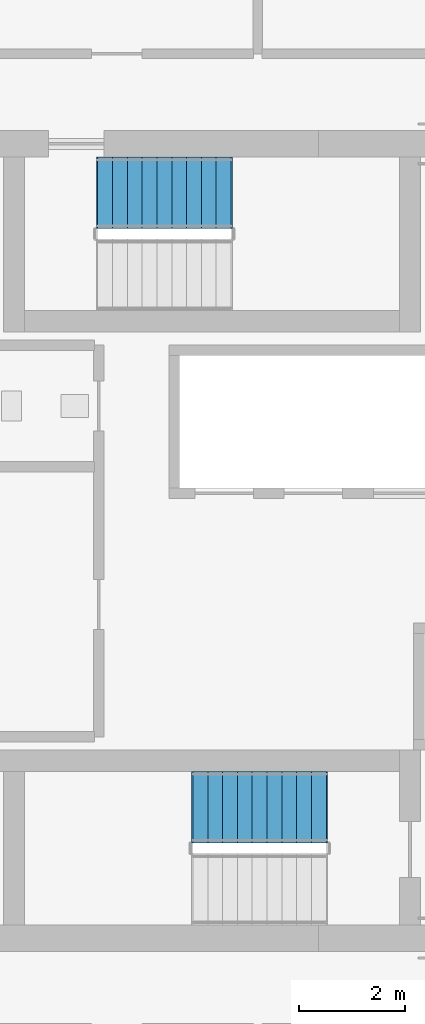
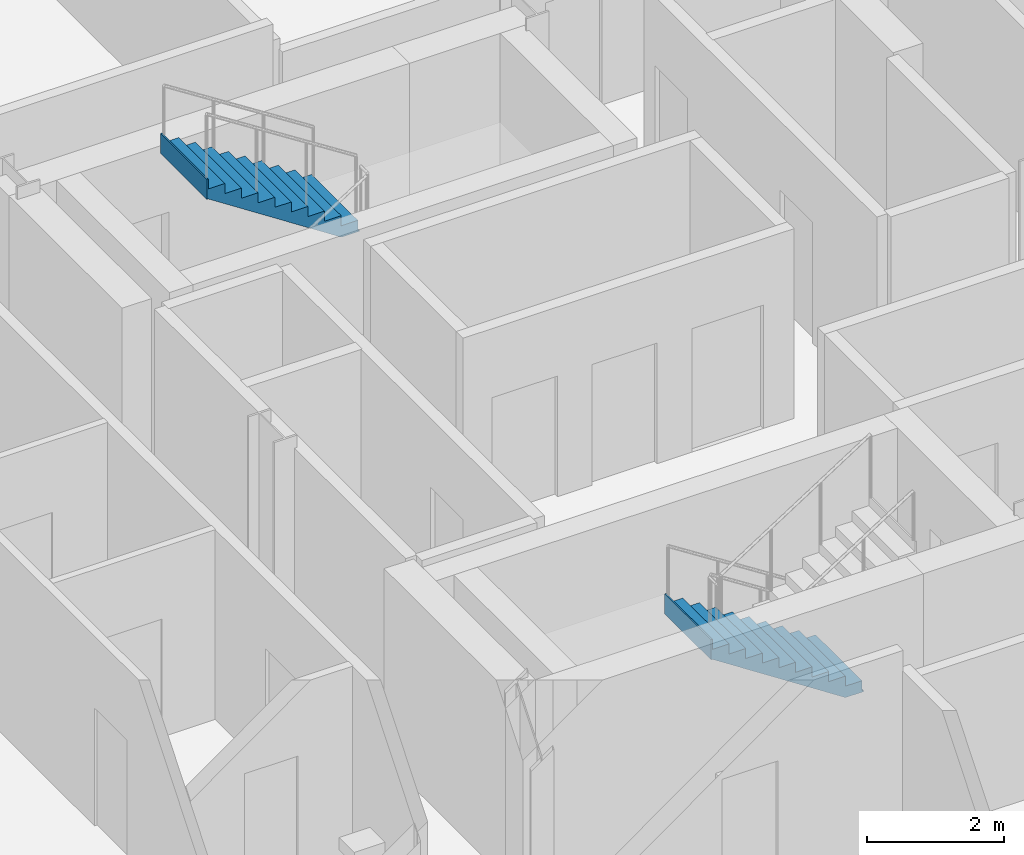
# One storey, part 21 of 23: 2 stair flights, 2 elements without a shape of their own.
"""IFC4 building model written with IfcOpenShell, lengths in metres."""

import ifcopenshell
import ifcopenshell.guid

model = None  # the IFC model being written
_history = None  # IfcOwnerHistory: only IFC2X3 demands one
_inside = {}  # id of a spatial element -> (the spatial element, [elements in it])
_under = {}  # id of a project, library or spatial element -> (it, [spatial elements below it])
_declared = {}  # id of a project -> (the project, [libraries it declares])
_typed = {}  # id of a type object -> (the type object, [elements of that type])
_made_of = {}  # id of a material, layer set ... -> (it, [elements and type objects made of it])


def new_model(schema):
    """Start an empty IFC model of exactly this schema.

    Asked for "IFC4X3", IfcOpenShell would pick the latest addendum, in which some entities
    have other attributes; the version numbers below select the first issue.
    IFC2X3 requires an IfcOwnerHistory on every rooted entity: one is made here for all.
    """
    global model, _history
    if schema == "IFC4X3":
        model = ifcopenshell.file(schema_version=(4, 3, 0, 0))
    else:
        model = ifcopenshell.file(schema=schema)
    _inside.clear()
    _under.clear()
    _declared.clear()
    _typed.clear()
    _made_of.clear()
    _history = None
    if model.schema == "IFC2X3":
        org = make("IfcOrganization", Name="unknown")
        user = make(
            "IfcPersonAndOrganization",
            ThePerson=make("IfcPerson", FamilyName="unknown"),
            TheOrganization=org,
        )
        app = make(
            "IfcApplication",
            ApplicationDeveloper=org,
            Version="unknown",
            ApplicationFullName="unknown",
            ApplicationIdentifier="unknown",
        )
        _history = make(
            "IfcOwnerHistory",
            OwningUser=user,
            OwningApplication=app,
            ChangeAction="ADDED",
            CreationDate=0,
        )
    return model


def make(cls, **values):
    """One entity of the class cls with the attributes given. An attribute that is None is left unset."""
    return model.create_entity(
        cls, **{name: value for name, value in values.items() if value is not None}
    )


def rooted(cls, **values):
    """An entity with a GlobalId (a new one), such as an element, a storey or a relation."""
    return make(cls, GlobalId=ifcopenshell.guid.new(), OwnerHistory=_history, **values)


def si_unit(unit_type, name, prefix=None):
    """IfcSIUnit, for example si_unit("LENGTHUNIT", "METRE", prefix="MILLI")."""
    return make("IfcSIUnit", UnitType=unit_type, Prefix=prefix, Name=name)


def assignment(units):
    """IfcUnitAssignment: the units of a project."""
    return None if units is None else make("IfcUnitAssignment", Units=units)


def point(xyz):
    """IfcCartesianPoint."""
    return None if xyz is None else make("IfcCartesianPoint", Coordinates=xyz)


def direction(xyz):
    """IfcDirection."""
    return None if xyz is None else make("IfcDirection", DirectionRatios=xyz)


def frame(location, z_axis=None, x_axis=None):
    """IfcAxis2Placement3D, a coordinate frame: its origin and axes. An axis left out is left unset."""
    return make(
        "IfcAxis2Placement3D",
        Location=point(location),
        Axis=direction(z_axis),
        RefDirection=direction(x_axis),
    )


def origin():
    """The frame at (0, 0, 0) with its axes left unset."""
    return frame((0.0, 0.0, 0.0))


def place(relative_to, where):
    """IfcLocalPlacement: puts the frame where relative to a parent placement (None: the world)."""
    return make(
        "IfcLocalPlacement", PlacementRelTo=relative_to, RelativePlacement=where
    )


def context(
    kind, dimensions, precision=None, world=None, true_north=None, identifier=None
):
    """IfcGeometricRepresentationContext, for example the 3D "Model" context."""
    return make(
        "IfcGeometricRepresentationContext",
        ContextIdentifier=identifier,
        ContextType=kind,
        CoordinateSpaceDimension=dimensions,
        Precision=precision,
        WorldCoordinateSystem=world,
        TrueNorth=true_north,
    )


def subcontext(parent, identifier, kind, view, scale=None):
    """IfcGeometricRepresentationSubContext, for example "Body" below "Model"."""
    return make(
        "IfcGeometricRepresentationSubContext",
        ContextIdentifier=identifier,
        ContextType=kind,
        ParentContext=parent,
        TargetScale=scale,
        TargetView=view,
    )


def project(units=None, contexts=None):
    """IfcProject with its units and contexts."""
    return rooted(
        "IfcProject",
        Name="project",
        RepresentationContexts=contexts,
        UnitsInContext=assignment(units),
    )


def spatial(cls, under=None, at=None, **own):
    """A site, building, storey or space (cls), placed at a placement, below another one or the project."""
    s = rooted(cls, ObjectPlacement=at, **own)
    if under is not None:
        _under.setdefault(under.id(), (under, []))[1].append(s)
    return s


def polyline(points):
    """IfcPolyline through the points."""
    return make("IfcPolyline", Points=[point(p) for p in points])


def outline(outer, holes=None, kind="AREA"):
    """IfcArbitraryClosedProfileDef: a profile drawn as a closed curve; with holes, ...WithVoids."""
    if holes is None:
        return make("IfcArbitraryClosedProfileDef", ProfileType=kind, OuterCurve=outer)
    return make(
        "IfcArbitraryProfileDefWithVoids",
        ProfileType=kind,
        OuterCurve=outer,
        InnerCurves=holes,
    )


def extrude(swept, where, along, depth):
    """IfcExtrudedAreaSolid: the profile swept, set in the frame where, extruded along a direction by depth."""
    return make(
        "IfcExtrudedAreaSolid",
        SweptArea=swept,
        Position=where,
        ExtrudedDirection=direction(along),
        Depth=depth,
    )


def shape(context_of_items, identifier, shape_type, items):
    """IfcShapeRepresentation: the items that make up one representation, for example the "Body"."""
    return make(
        "IfcShapeRepresentation",
        ContextOfItems=context_of_items,
        RepresentationIdentifier=identifier,
        RepresentationType=shape_type,
        Items=items,
    )


def material(Name=None, Category=None):
    """IfcMaterial."""
    return make("IfcMaterial", Name=Name, Category=Category)


def made_of(thing, what):
    """Note that an element or type object is made of a material, layer set ...; save() writes the relation."""
    if what is not None:
        _made_of.setdefault(what.id(), (what, []))[1].append(thing)
    return thing


def type_object(cls, material=None, **own):
    """A type object (cls), such as IfcWallType, which elements share."""
    return made_of(rooted(cls, **own), material)


def element(
    cls,
    number,
    at=None,
    inside=None,
    cuts=None,
    type_object=None,
    material=None,
    context=None,
    identifier="Body",
    shape_type=None,
    held_by="IfcProductDefinitionShape",
    body=None,
    shapes=None,
    **own,
):
    """One element of the class cls, such as IfcWall. Its Tag is "e" and its number.

    at: its placement. inside: the storey or other place that contains it. cuts: it is an
    opening in that element (IfcRelVoidsElement). A single representation is given by context,
    identifier, shape_type and body (its items); several are given by shapes. held_by: the class
    of the entity that holds the representations. save() writes the other relations.
    """
    e = rooted(cls, Tag="e%d" % number, ObjectPlacement=at, **own)
    if body is not None:
        shapes = [shape(context, identifier, shape_type, body)]
    if shapes is not None:
        e.Representation = make(held_by, Representations=shapes)
    if inside is not None:
        _inside.setdefault(inside.id(), (inside, []))[1].append(e)
    if cuts is not None:
        rooted(
            "IfcRelVoidsElement", RelatingBuildingElement=cuts, RelatedOpeningElement=e
        )
    if type_object is not None:
        _typed.setdefault(type_object.id(), (type_object, []))[1].append(e)
    return made_of(e, material)


def aggregate(whole, parts):
    """IfcRelAggregates: a whole, such as a stair, and the parts it consists of."""
    return rooted("IfcRelAggregates", RelatingObject=whole, RelatedObjects=parts)


def save(model, path):
    """Write the relations noted so far, then the file.

    IfcRelAggregates (storeys below a building ...), IfcRelContainedInSpatialStructure (elements
    in a storey), IfcRelDefinesByType, IfcRelAssociatesMaterial and IfcRelDeclares: one each for
    every whole, place, type object, material and project.
    """
    for whole, parts in _under.values():
        aggregate(whole, parts)
    for where, things in _inside.values():
        rooted(
            "IfcRelContainedInSpatialStructure",
            RelatedElements=things,
            RelatingStructure=where,
        )
    for kind, things in _typed.values():
        rooted("IfcRelDefinesByType", RelatedObjects=things, RelatingType=kind)
    for what, things in _made_of.values():
        rooted("IfcRelAssociatesMaterial", RelatedObjects=things, RelatingMaterial=what)
    for by, libraries in _declared.values():
        rooted("IfcRelDeclares", RelatingContext=by, RelatedDefinitions=libraries)
    model.write(path)


model = new_model("IFC4")

# Units and contexts
model_context = context("Model", 3, precision=1e-05, world=origin(), true_north=direction((0.0, 1.0)))
body_context = subcontext(model_context, "Body", "Model", "MODEL_VIEW")
ifc_project = project(units=[si_unit("LENGTHUNIT", "METRE"), si_unit("AREAUNIT", "SQUARE_METRE"), si_unit("VOLUMEUNIT", "CUBIC_METRE"), si_unit("PLANEANGLEUNIT", "RADIAN"), si_unit("MASSUNIT", "GRAM", prefix="KILO")], contexts=[model_context])

# Site, building, storey
site_placement = place(None, origin())
site = spatial("IfcSite", under=ifc_project, at=site_placement, CompositionType="ELEMENT")
building_placement = place(site_placement, origin())
building = spatial("IfcBuilding", under=site, at=building_placement, Name="Barlavira Tower and Art Museum", CompositionType="ELEMENT")
storey_placement = place(building_placement, frame((0.0, 0.0, 290.699951171875)))
storey = spatial("IfcBuildingStorey", under=building, at=storey_placement, Name="L76", CompositionType="ELEMENT", Elevation=290.699951171875)

# Stair, stair flight
ifc_material_1 = material(Name="Concrete C45", Category="concrete")
stair_type_1 = type_object("IfcStairType", Name="Tower North Dog-Leg Exit Stair Assembly Concrete C45", PredefinedType="TWO_QUARTER_TURN_STAIR", material=ifc_material_1)
stair_1_placement = place(storey_placement, origin())
stair_1 = element("IfcStair", 1, at=stair_1_placement, inside=storey, type_object=stair_type_1, Name="L76 Tower North Exit Stair ST-T2", PredefinedType="TWO_QUARTER_TURN_STAIR")
ifc_material_2 = material(Name="Precast concrete C45", Category="concrete")
stair_flight_type_1 = type_object("IfcStairFlightType", Name="Tower North Dog-Leg Exit Stair Precast Flight 1350 Concrete C45", PredefinedType="STRAIGHT", material=ifc_material_2)
stair_flight_1_placement = place(storey_placement, frame((-1.64990234375, 6.574951171875, 1.800048828125), z_axis=(0.0, 0.0, 1.0), x_axis=(-1.0, 0.0, 0.0)))
stair_flight_1 = element("IfcStairFlight", 2, at=stair_flight_1_placement, type_object=stair_flight_type_1, Name="ST-T2 flight 2", NumberOfRisers=10, NumberOfTreads=9, PredefinedType="STRAIGHT", RiserHeight=0.18, TreadLength=0.28, context=body_context, shape_type="SweptSolid", body=[
    extrude(outline(polyline([(-0.02490234375, 0.0), (0.0, 0.0), (0.0, 0.179931640625), (0.280029296875, 0.179931640625), (0.280029296875, 0.360107421875), (0.56005859375, 0.360107421875), (0.56005859375, 0.5400390625), (0.840087890625, 0.5400390625), (0.840087890625, 0.719970703125), (1.1201171875, 0.719970703125), (1.1201171875, 0.89990234375), (1.39990234375, 0.89990234375), (1.39990234375, 1.080078125), (1.679931640625, 1.080078125), (1.679931640625, 1.260009765625), (1.9599609375, 1.260009765625), (1.9599609375, 1.43994140625), (2.239990234375, 1.43994140625), (2.239990234375, 1.6201171875), (2.52001953125, 1.6201171875), (2.52001953125, 1.800048828125), (2.544921875, 1.800048828125), (2.544921875, 1.44189453125), (2.52001953125, 1.44189453125), (0.277099609375, -0.02490234375), (-0.02490234375, -0.02490234375), (-0.02490234375, 0.0)])), frame((0.0, 0.675048828125, 0.0), z_axis=(0.0, -1.0, 0.0), x_axis=(1.0, 0.0, 0.0)), (0.0, 0.0, 1.0), 1.35009765625),
])
aggregate(stair_1, [stair_flight_1])

stair_type_2 = type_object("IfcStairType", Name="Tower South Dog-Leg Exit Stair Assembly Concrete C45", PredefinedType="TWO_QUARTER_TURN_STAIR", material=ifc_material_1)
stair_2_placement = place(storey_placement, origin())
stair_2 = element("IfcStair", 3, at=stair_2_placement, inside=storey, type_object=stair_type_2, Name="L76 Tower South Exit Stair ST-T1", PredefinedType="TWO_QUARTER_TURN_STAIR")
stair_flight_type_2 = type_object("IfcStairFlightType", Name="Tower South Dog-Leg Exit Stair Precast Flight 1350 Concrete C45", PredefinedType="STRAIGHT", material=ifc_material_2)
stair_flight_2_placement = place(storey_placement, frame((0.14990234375, -5.02490234375, 0.0), z_axis=(0.0, 0.0, 1.0), x_axis=(-1.0, 0.0, 0.0)))
stair_flight_2 = element("IfcStairFlight", 4, at=stair_flight_2_placement, type_object=stair_flight_type_2, Name="ST-T1 flight 1", NumberOfRisers=10, NumberOfTreads=9, PredefinedType="STRAIGHT", RiserHeight=0.18, TreadLength=0.28, context=body_context, shape_type="SweptSolid", body=[
    extrude(outline(polyline([(-0.02490234375, 0.0), (0.0, 0.0), (0.0, 0.179931640625), (0.280029296875, 0.179931640625), (0.280029296875, 0.360107421875), (0.56005859375, 0.360107421875), (0.56005859375, 0.5400390625), (0.840087890625, 0.5400390625), (0.840087890625, 0.719970703125), (1.1201171875, 0.719970703125), (1.1201171875, 0.89990234375), (1.39990234375, 0.89990234375), (1.39990234375, 1.080078125), (1.679931640625, 1.080078125), (1.679931640625, 1.260009765625), (1.9599609375, 1.260009765625), (1.9599609375, 1.43994140625), (2.239990234375, 1.43994140625), (2.239990234375, 1.6201171875), (2.52001953125, 1.6201171875), (2.52001953125, 1.800048828125), (2.544921875, 1.800048828125), (2.544921875, 1.44189453125), (2.52001953125, 1.44189453125), (0.277099609375, -0.02490234375), (-0.02490234375, -0.02490234375), (-0.02490234375, 0.0)])), frame((0.0, 0.675048828125, 0.0), z_axis=(0.0, -1.0, 0.0), x_axis=(1.0, 0.0, 0.0)), (0.0, 0.0, 1.0), 1.35009765625),
])
aggregate(stair_2, [stair_flight_2])

save(model, "model.ifc")
